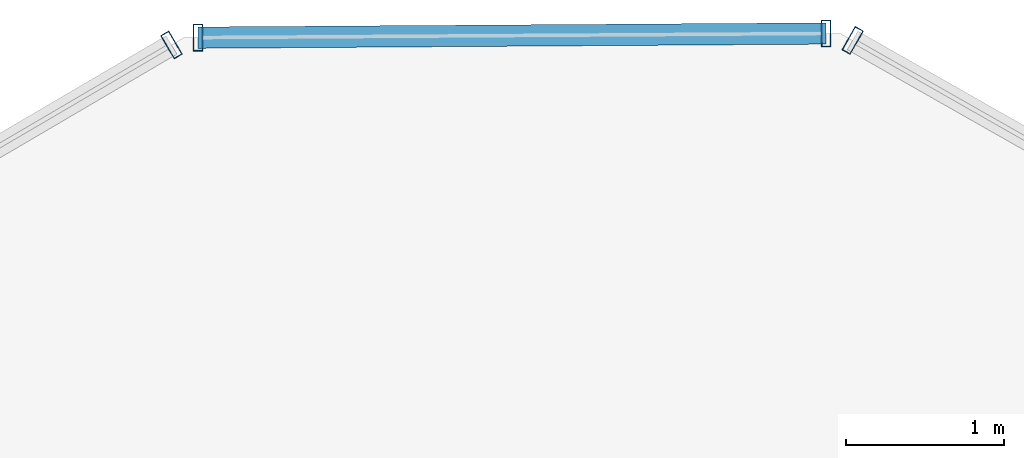
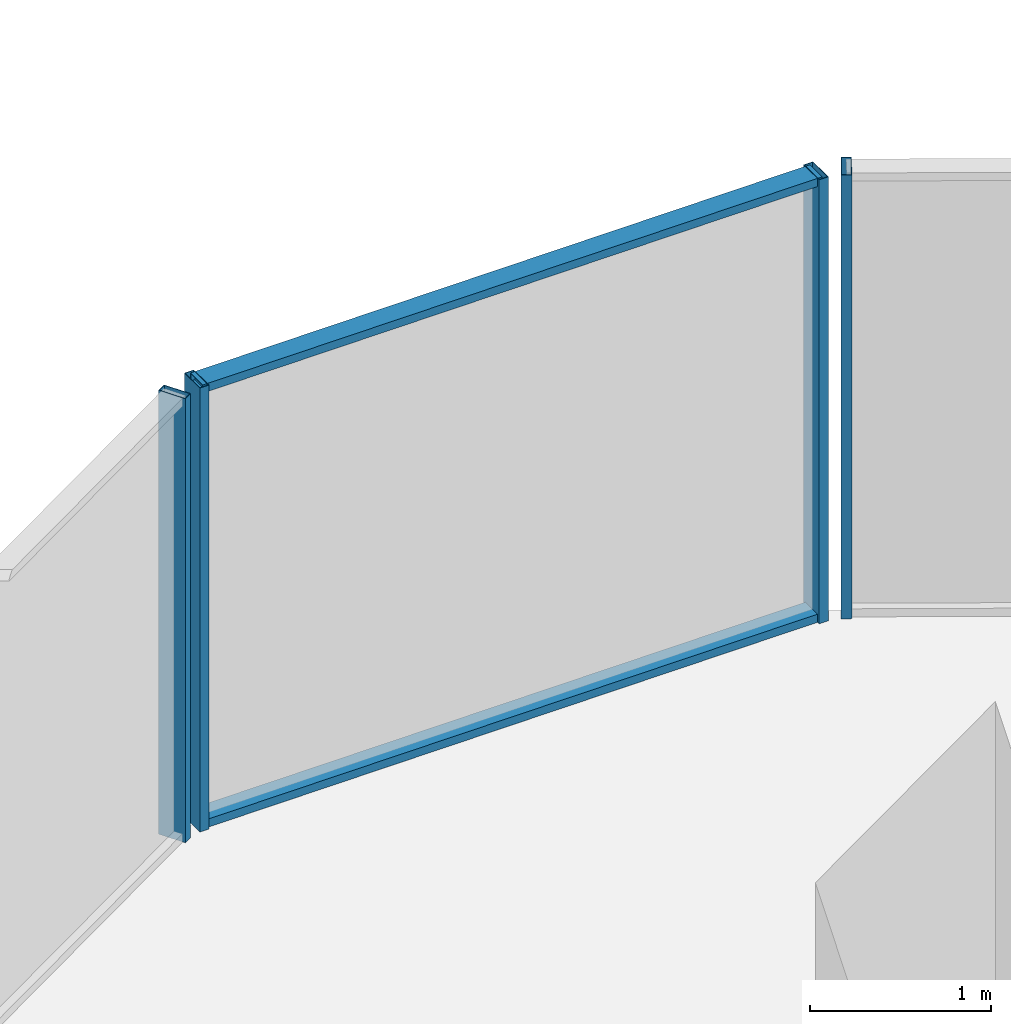
# One storey, part 23 of 30: 6 members, 3 elements without a shape of their own.
"""IFC4 building model written with IfcOpenShell, lengths in metres."""

from ifc_helpers import new_model, si_unit, direction, frame, origin, origin_2d, place, context, subcontext, project, spatial, hollow_rectangle, extrude, source, transform, mapped, material, layer, layer_set, material_profile, profile_set, type_object, element, aggregate, save


model = new_model("IFC4")

# Units and contexts
model_context = context("Model", 3, precision=1e-05, world=origin(), true_north=direction((0.0, 1.0)))
body_context = subcontext(model_context, "Body", "Model", "MODEL_VIEW")
ifc_project = project(units=[si_unit("LENGTHUNIT", "METRE"), si_unit("AREAUNIT", "SQUARE_METRE"), si_unit("VOLUMEUNIT", "CUBIC_METRE"), si_unit("PLANEANGLEUNIT", "RADIAN"), si_unit("MASSUNIT", "GRAM", prefix="KILO")], contexts=[model_context])

# Site, building, storey
site_placement = place(None, origin())
site = spatial("IfcSite", under=ifc_project, at=site_placement, CompositionType="ELEMENT")
building_placement = place(site_placement, origin())
building = spatial("IfcBuilding", under=site, at=building_placement, Name="Veraguas Prism Commons", CompositionType="ELEMENT")
storey_placement = place(building_placement, frame((0.0, 0.0, 129.5)))
storey = spatial("IfcBuildingStorey", under=building, at=storey_placement, Name="L36", CompositionType="ELEMENT", Elevation=129.5)

# Curtain wall, member
ifc_material = material(Name="Anodised aluminium EN AW-6063 T6", Category="aluminium")
ifc_layer = layer(ifc_material, 0.169921875, Name="Unitised Flush Curtain Wall Zone 2", Category="aluminium")
ifc_layer_set = layer_set([ifc_layer], Name="Anodised aluminium EN AW-6063 T6")
curtain_wall_type = type_object("IfcCurtainWallType", Name="Unitised Flush Curtain Wall Zone 2", PredefinedType="NOTDEFINED", material=ifc_layer_set)
curtain_wall_1_placement = place(storey_placement, origin())
curtain_wall_1 = element("IfcCurtainWall", 1, at=curtain_wall_1_placement, inside=storey, type_object=curtain_wall_type, Name="Tower Facade Curtain Wall L36-F1", PredefinedType="NOTDEFINED")
ifc_material_profile_1 = material_profile(ifc_material, hollow_rectangle(XDim=0.06005859375, YDim=0.169921875, WallThickness=0.00390625, at=origin_2d()), Name="AL60X170X4")
ifc_profile_set_1 = profile_set([ifc_material_profile_1], Name="Anodised aluminium EN AW-6063 T6")
member_type_1 = type_object("IfcMemberType", Name="Curtain Wall Mullion Lower AL 60x170x4", PredefinedType="MULLION", material=ifc_profile_set_1)
shared_shape_1 = source(origin(), body_context, "Body", "SweptSolid", [
    extrude(hollow_rectangle(XDim=0.06005859375, YDim=0.169921875, WallThickness=0.00390625, at=origin_2d()), origin(), (0.0, 0.0, 1.0), 3.0),
])
member_1_placement = place(storey_placement, frame((26.015869140625, 44.919921875, 0.0), z_axis=(0.0, 0.0, 1.0), x_axis=(-0.869323320918, 0.494243830218, 0.0)))
member_1 = element("IfcMember", 2, at=member_1_placement, type_object=member_type_1, Name="CW-Z2 Mullion 5", PredefinedType="MULLION", context=body_context, shape_type="MappedRepresentation", body=[
    mapped(shared_shape_1, transform((0.0, 0.0, 0.0), scale=1.0)),
])
aggregate(curtain_wall_1, [member_1])

curtain_wall_2_placement = place(storey_placement, origin())
curtain_wall_2 = element("IfcCurtainWall", 3, at=curtain_wall_2_placement, inside=storey, type_object=curtain_wall_type, Name="Tower Facade Curtain Wall L36-F2", PredefinedType="NOTDEFINED")
member_2_placement = place(storey_placement, frame((21.706787109375, 44.891357421875, 0.0), z_axis=(0.0, 0.0, 1.0), x_axis=(-0.86268584238, -0.505740187604, 0.0)))
member_2 = element("IfcMember", 4, at=member_2_placement, type_object=member_type_1, Name="CW-Z2 Mullion 1", PredefinedType="MULLION", context=body_context, shape_type="MappedRepresentation", body=[
    mapped(shared_shape_1, transform((0.0, 0.0, 0.0), scale=1.0)),
])
aggregate(curtain_wall_2, [member_2])

# Curtain wall, members
curtain_wall_3_placement = place(storey_placement, origin())
curtain_wall_3 = element("IfcCurtainWall", 5, at=curtain_wall_3_placement, inside=storey, type_object=curtain_wall_type, Name="Chamfer Curtain Wall L36-C2", PredefinedType="NOTDEFINED")
member_3_placement = place(storey_placement, frame((25.84765625, 44.9638671875, 0.0), z_axis=(0.0, 0.0, 1.0), x_axis=(-0.999978087656, -0.006619985499, 0.0)))
member_3 = element("IfcMember", 6, at=member_3_placement, type_object=member_type_1, Name="CW-Z2 Mullion 1", PredefinedType="MULLION", context=body_context, shape_type="MappedRepresentation", body=[
    mapped(shared_shape_1, transform((0.0, 0.0, 0.0), scale=1.0)),
])
member_4_placement = place(storey_placement, frame((21.87451171875, 44.9375, 0.0), z_axis=(0.0, 0.0, 1.0), x_axis=(-0.999978087656, -0.006619985499, 0.0)))
member_4 = element("IfcMember", 7, at=member_4_placement, type_object=member_type_1, Name="CW-Z2 Mullion 2", PredefinedType="MULLION", context=body_context, shape_type="MappedRepresentation", body=[
    mapped(shared_shape_1, transform((0.0, 0.0, 0.0), scale=1.0)),
])
ifc_material_profile_2 = material_profile(ifc_material, hollow_rectangle(XDim=0.054931640625, YDim=0.135009765625, WallThickness=0.0029296875, at=origin_2d()), Name="AL55X135X3")
ifc_profile_set_2 = profile_set([ifc_material_profile_2], Name="Anodised aluminium EN AW-6063 T6")
member_type_2 = type_object("IfcMemberType", Name="Curtain Wall Transom Standard AL 55x135x3", PredefinedType="USERDEFINED", material=ifc_profile_set_2)
shared_shape_2 = source(origin(), body_context, "Body", "SweptSolid", [
    extrude(hollow_rectangle(XDim=0.054931640625, YDim=0.135009765625, WallThickness=0.0029296875, at=origin_2d()), origin(), (0.0, 0.0, 1.0), 3.97314453125),
])
member_5_placement = place(storey_placement, frame((25.84765625, 44.9638671875, 0.027587890625), z_axis=(-0.99997798014, -0.006636206333, 0.0), x_axis=(0.0, 0.0, 1.0)))
member_5 = element("IfcMember", 8, at=member_5_placement, type_object=member_type_2, Name="CW-Z2 Transom 1", ObjectType="TRANSOM", PredefinedType="USERDEFINED", context=body_context, shape_type="MappedRepresentation", body=[
    mapped(shared_shape_2, transform((0.0, 0.0, 0.0), scale=1.0)),
])
member_6_placement = place(storey_placement, frame((25.84765625, 44.9638671875, 2.972412109375), z_axis=(-0.99997798014, -0.006636206333, 0.0), x_axis=(0.0, 0.0, 1.0)))
member_6 = element("IfcMember", 9, at=member_6_placement, type_object=member_type_2, Name="CW-Z2 Transom 2", ObjectType="TRANSOM", PredefinedType="USERDEFINED", context=body_context, shape_type="MappedRepresentation", body=[
    mapped(shared_shape_2, transform((0.0, 0.0, 0.0), scale=1.0)),
])
aggregate(curtain_wall_3, [member_3, member_4, member_5, member_6])

save(model, "model.ifc")
